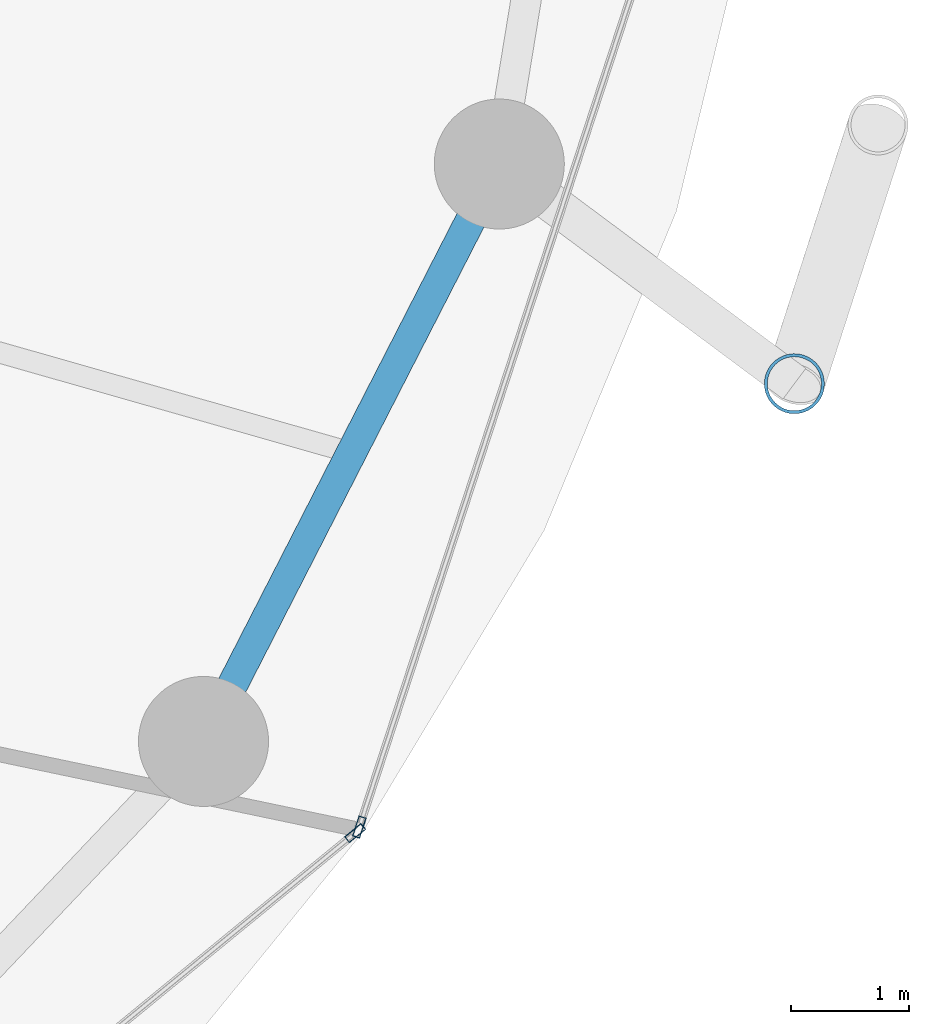
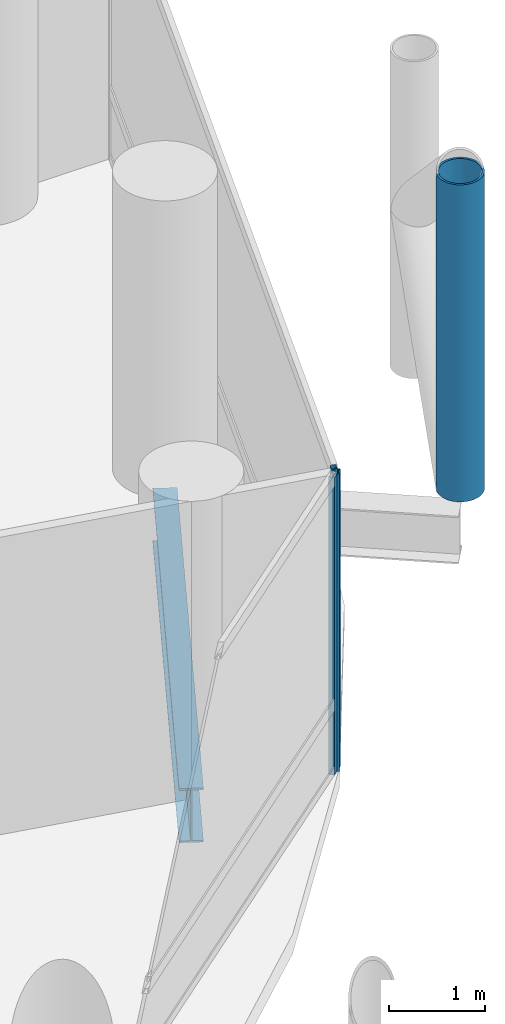
# One storey, part 10 of 24: 3 members, 1 beam, 2 elements without a shape of their own.
"""IFC4 building model written with IfcOpenShell, lengths in metres."""

from ifc_helpers import new_model, si_unit, direction, frame, origin, origin_2d, place, context, subcontext, project, spatial, hollow_rectangle, hollow_circle, i_section, extrude, material, layer, layer_set, material_profile, profile_set, type_object, element, aggregate, save


model = new_model("IFC4")

# Units and contexts
model_context = context("Model", 3, precision=1e-05, world=origin(), true_north=direction((0.0, 1.0)))
body_context = subcontext(model_context, "Body", "Model", "MODEL_VIEW")
ifc_project = project(units=[si_unit("LENGTHUNIT", "METRE"), si_unit("AREAUNIT", "SQUARE_METRE"), si_unit("VOLUMEUNIT", "CUBIC_METRE"), si_unit("PLANEANGLEUNIT", "RADIAN"), si_unit("MASSUNIT", "GRAM", prefix="KILO")], contexts=[model_context])

# Site, building, storey
site_placement = place(None, origin())
site = spatial("IfcSite", under=ifc_project, at=site_placement, CompositionType="ELEMENT")
building_placement = place(site_placement, origin())
building = spatial("IfcBuilding", under=site, at=building_placement, Name="Nuhasar Tower", CompositionType="ELEMENT")
storey_placement = place(building_placement, frame((0.0, 0.0, 85.800048828125)))
storey = spatial("IfcBuildingStorey", under=building, at=storey_placement, Name="L20", CompositionType="ELEMENT", Elevation=85.800048828125)

# Beam
ifc_material_1 = material(Name="Steel S355", Category="steel")
ifc_material_profile_1 = material_profile(ifc_material_1, i_section(OverallWidth=0.256103515625, OverallDepth=0.693115234375, WebThickness=0.014404296875, FlangeThickness=0.023681640625, at=origin_2d()), Name="W27X114")
ifc_profile_set_1 = profile_set([ifc_material_profile_1], Name="Steel S355")
beam_type = type_object("IfcBeamType", Name="BM-RING-W27X114", PredefinedType="SPANDREL", material=ifc_profile_set_1)
beam_placement = place(storey_placement, frame((60.694091796875, 16.675048828125, -0.59716796875), z_axis=(0.455930023905, 0.890015625314, 0.0), x_axis=(-0.890015625314, 0.455930023905, 0.0)))
element("IfcBeam", 1, at=beam_placement, inside=storey, type_object=beam_type, Name="L20 Perimeter Ring Spandrel 23", PredefinedType="SPANDREL", context=body_context, shape_type="SweptSolid", body=[
    extrude(i_section(OverallWidth=0.256103515625, OverallDepth=0.693115234375, WebThickness=0.014404296875, FlangeThickness=0.023681640625, at=origin_2d()), origin(), (0.0, 0.0, 1.0), 5.487548828125),
])

# Curtain wall, member
ifc_material_2 = material(Name="Aluminium 6063-T6", Category="aluminium")
ifc_layer = layer(ifc_material_2, 0.199951171875)
ifc_layer_set = layer_set([ifc_layer], Name="Aluminium 6063-T6")
curtain_wall_type = type_object("IfcCurtainWallType", Name="CW-Z1-OFF", PredefinedType="NOTDEFINED", material=ifc_layer_set)
curtain_wall_1_placement = place(storey_placement, origin())
curtain_wall_1 = element("IfcCurtainWall", 2, at=curtain_wall_1_placement, inside=storey, type_object=curtain_wall_type, Name="L20 Unitised Curtain Wall 11", PredefinedType="NOTDEFINED")
ifc_material_profile_2 = material_profile(ifc_material_2, hollow_rectangle(XDim=0.06494140625, YDim=0.179931640625, WallThickness=0.0048828125, at=origin_2d()), Name="CWM-2")
ifc_profile_set_2 = profile_set([ifc_material_profile_2], Name="Aluminium 6063-T6")
member_type_1 = type_object("IfcMemberType", Name="CW-MUL-S2", PredefinedType="MULLION", material=ifc_profile_set_2)
member_1_placement = place(storey_placement, frame((61.976806640625, 15.8994140625, 0.0), z_axis=(0.0, 0.0, 1.0), x_axis=(-0.633744593376, 0.773542364946, 0.0)))
member_1 = element("IfcMember", 3, at=member_1_placement, type_object=member_type_1, Name="CW-Z1 mullion 2", PredefinedType="MULLION", context=body_context, shape_type="SweptSolid", body=[
    extrude(hollow_rectangle(XDim=0.06494140625, YDim=0.179931640625, WallThickness=0.0048828125, at=origin_2d()), origin(), (0.0, 0.0, 1.0), 3.800048828125),
])
aggregate(curtain_wall_1, [member_1])

curtain_wall_2_placement = place(storey_placement, origin())
curtain_wall_2 = element("IfcCurtainWall", 4, at=curtain_wall_2_placement, inside=storey, type_object=curtain_wall_type, Name="L20 Unitised Curtain Wall 12", PredefinedType="NOTDEFINED")
member_2_placement = place(storey_placement, frame((62.01220703125, 15.950927734375, 0.0), z_axis=(0.0, 0.0, 1.0), x_axis=(-0.950467534571, 0.310823849997, 0.0)))
member_2 = element("IfcMember", 5, at=member_2_placement, type_object=member_type_1, Name="CW-Z1 mullion 1", PredefinedType="MULLION", context=body_context, shape_type="SweptSolid", body=[
    extrude(hollow_rectangle(XDim=0.06494140625, YDim=0.179931640625, WallThickness=0.0048828125, at=origin_2d()), origin(), (0.0, 0.0, 1.0), 3.800048828125),
])
aggregate(curtain_wall_2, [member_2])

# Member
ifc_material_3 = material(Name="Steel S460", Category="steel")
ifc_material_profile_3 = material_profile(ifc_material_3, hollow_circle(Radius=0.25390625, WallThickness=0.025390625, at=origin_2d()), Name="HSS508X25.4")
ifc_profile_set_3 = profile_set([ifc_material_profile_3], Name="Steel S460")
member_type_2 = type_object("IfcMemberType", Name="EXO-BRONZE-508", PredefinedType="BRACE", material=ifc_profile_set_3)
member_3_placement = place(storey_placement, frame((65.69189453125, 19.700927734375, 0.0), z_axis=(0.0, 0.0, 1.0), x_axis=(1.0, 0.0, 0.0)))
element("IfcMember", 6, at=member_3_placement, inside=storey, type_object=member_type_2, Name="L20 Exoskeleton Chord Column EC-12A", PredefinedType="BRACE", context=body_context, shape_type="SweptSolid", body=[
    extrude(hollow_circle(Radius=0.25390625, WallThickness=0.025390625, at=origin_2d()), origin(), (0.0, 0.0, 1.0), 4.050048828125),
])

save(model, "model.ifc")
